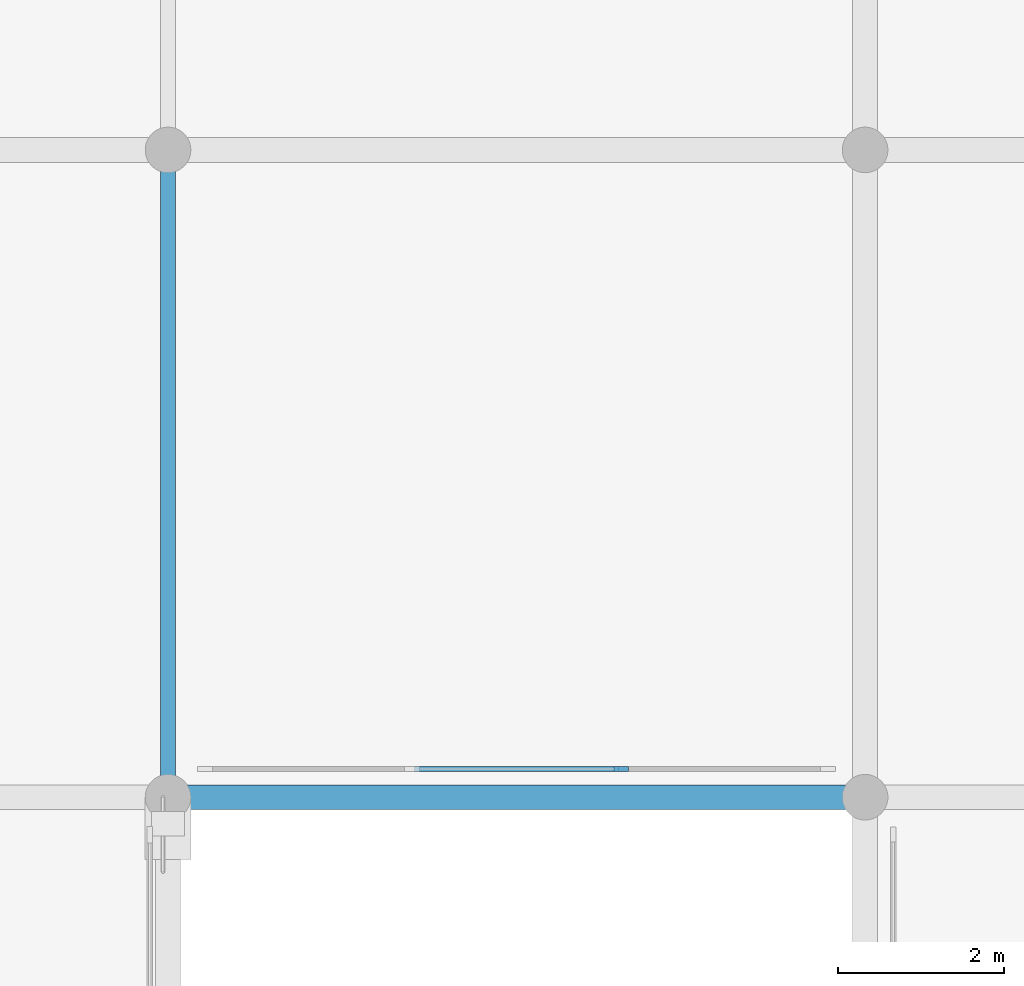
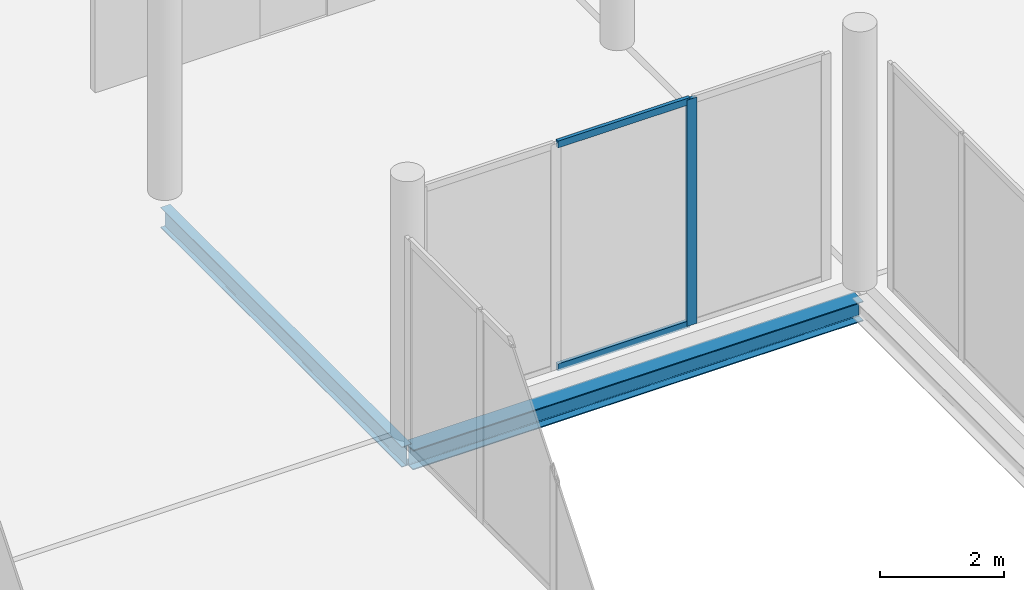
# One storey, part 50 of 105: 3 members, 2 beams, 1 element without a shape of its own.
"""IFC4 building model written with IfcOpenShell, lengths in metres."""

from ifc_helpers import new_model, si_unit, direction, frame, origin, origin_2d, place, context, subcontext, project, spatial, rectangle, i_section, extrude, material, material_profile, profile_set, type_object, element, aggregate, save


model = new_model("IFC4")

# Units and contexts
model_context = context("Model", 3, precision=1e-05, world=origin(), true_north=direction((0.0, 1.0)))
body_context = subcontext(model_context, "Body", "Model", "MODEL_VIEW")
ifc_project = project(units=[si_unit("LENGTHUNIT", "METRE"), si_unit("AREAUNIT", "SQUARE_METRE"), si_unit("VOLUMEUNIT", "CUBIC_METRE"), si_unit("PLANEANGLEUNIT", "RADIAN"), si_unit("MASSUNIT", "GRAM", prefix="KILO")], contexts=[model_context])

# Site, building, storey
site_placement = place(None, origin())
site = spatial("IfcSite", under=ifc_project, at=site_placement, CompositionType="ELEMENT")
building_placement = place(site_placement, origin())
building = spatial("IfcBuilding", under=site, at=building_placement, Name="Nabrawat Pavilion Hospital", CompositionType="ELEMENT")
storey_placement = place(building_placement, frame((0.0, 0.0, 5.10009765625)))
storey = spatial("IfcBuildingStorey", under=building, at=storey_placement, Name="L01", CompositionType="ELEMENT", Elevation=5.10009765625)

# Curtain wall, members
ifc_material_1 = material(Name="Anodised Aluminium", Category="aluminium")
curtain_wall_type = type_object("IfcCurtainWallType", Name="Healing Garden Cloister Curtain Wall", PredefinedType="USERDEFINED", material=ifc_material_1)
curtain_wall_placement = place(storey_placement, origin())
curtain_wall = element("IfcCurtainWall", 1, at=curtain_wall_placement, inside=storey, type_object=curtain_wall_type, Name="L01 Healing Garden Cloister Curtain Wall 084", ObjectType="CURTAIN WALL", PredefinedType="USERDEFINED")
ifc_material_profile_1 = material_profile(ifc_material_1, rectangle(XDim=0.06494140625, YDim=0.179931640625, at=origin_2d()), Name="CWM 65x180")
ifc_profile_set_1 = profile_set([ifc_material_profile_1], Name="Anodised Aluminium")
member_type_1 = type_object("IfcMemberType", Name="Healing Garden Cloister Curtain Wall Mullion CWM 65x180", PredefinedType="MULLION", material=ifc_profile_set_1)
member_1_placement = place(storey_placement, frame((123.061767578125, 86.139892578125, 0.0), z_axis=(0.0, 0.0, 1.0), x_axis=(0.0, 1.0, 0.0)))
member_1 = element("IfcMember", 2, at=member_1_placement, type_object=member_type_1, Name="CW-CLN-01 mullion 3", PredefinedType="MULLION", context=body_context, shape_type="SweptSolid", body=[
    extrude(rectangle(XDim=0.06494140625, YDim=0.179931640625, at=origin_2d()), origin(), (0.0, 0.0, 1.0), 4.43994140625),
])
ifc_material_profile_2 = material_profile(ifc_material_1, rectangle(XDim=0.06494140625, YDim=0.135009765625, at=origin_2d()), Name="CWT 65x135")
ifc_profile_set_2 = profile_set([ifc_material_profile_2], Name="Anodised Aluminium")
member_type_2 = type_object("IfcMemberType", Name="Healing Garden Cloister Curtain Wall Transom CWT 65x135", PredefinedType="USERDEFINED", material=ifc_profile_set_2)
member_2_placement = place(storey_placement, frame((120.57080078125, 86.139892578125, 0.032470703125), z_axis=(1.0, 0.0, 0.0), x_axis=(0.0, 1.0, 0.0)))
member_2 = element("IfcMember", 3, at=member_2_placement, type_object=member_type_2, Name="CW-CLN-01 transom 2.1", ObjectType="TRANSOM", PredefinedType="USERDEFINED", context=body_context, shape_type="SweptSolid", body=[
    extrude(rectangle(XDim=0.06494140625, YDim=0.135009765625, at=origin_2d()), origin(), (0.0, 0.0, 1.0), 2.458251953125),
])
member_3_placement = place(storey_placement, frame((120.57080078125, 86.139892578125, 4.407470703125), z_axis=(1.0, 0.0, 0.0), x_axis=(0.0, 1.0, 0.0)))
member_3 = element("IfcMember", 4, at=member_3_placement, type_object=member_type_2, Name="CW-CLN-01 transom 2.2", ObjectType="TRANSOM", PredefinedType="USERDEFINED", context=body_context, shape_type="SweptSolid", body=[
    extrude(rectangle(XDim=0.06494140625, YDim=0.135009765625, at=origin_2d()), origin(), (0.0, 0.0, 1.0), 2.458251953125),
])
aggregate(curtain_wall, [member_1, member_2, member_3])

# Beams
ifc_material_2 = material(Name="Steel S355", Category="steel")
ifc_material_profile_3 = material_profile(ifc_material_2, i_section(OverallWidth=0.300048828125, OverallDepth=0.389892578125, WebThickness=0.010986328125, FlangeThickness=0.01904296875, FilletRadius=0.027099609375, at=origin_2d()), Name="HEA 400")
ifc_profile_set_3 = profile_set([ifc_material_profile_3], Name="Steel S355")
beam_type_1 = type_object("IfcBeamType", Name="Perimeter Moment Spandrel Beam HEA 400", PredefinedType="SPANDREL", material=ifc_profile_set_3)
beam_1_placement = place(storey_placement, frame((117.6201171875, 85.800048828125, -0.47509765625), z_axis=(1.0, 0.0, 0.0), x_axis=(0.0, 1.0, 0.0)))
element("IfcBeam", 5, at=beam_1_placement, inside=storey, type_object=beam_type_1, Name="L01 Primary X Girder 613", PredefinedType="SPANDREL", context=body_context, shape_type="SweptSolid", body=[
    extrude(i_section(OverallWidth=0.300048828125, OverallDepth=0.389892578125, WebThickness=0.010986328125, FlangeThickness=0.01904296875, FilletRadius=0.027099609375, at=origin_2d()), origin(), (0.0, 0.0, 1.0), 8.35986328125),
])
ifc_material_profile_4 = material_profile(ifc_material_2, i_section(OverallWidth=0.179931640625, OverallDepth=0.39990234375, WebThickness=0.008544921875, FlangeThickness=0.013427734375, FilletRadius=0.02099609375, at=origin_2d()), Name="IPE 400")
ifc_profile_set_4 = profile_set([ifc_material_profile_4], Name="Steel S355")
beam_type_2 = type_object("IfcBeamType", Name="Standard Y Floor Beam IPE 400", PredefinedType="BEAM", material=ifc_profile_set_4)
beam_2_placement = place(storey_placement, frame((117.60009765625, 85.820068359375, -0.47998046875), z_axis=(0.0, 1.0, 0.0), x_axis=(-1.0, 0.0, 0.0)))
element("IfcBeam", 6, at=beam_2_placement, inside=storey, type_object=beam_type_2, Name="L01 Primary Y Beam 794", PredefinedType="BEAM", context=body_context, shape_type="SweptSolid", body=[
    extrude(i_section(OverallWidth=0.179931640625, OverallDepth=0.39990234375, WebThickness=0.008544921875, FlangeThickness=0.013427734375, FilletRadius=0.02099609375, at=origin_2d()), origin(), (0.0, 0.0, 1.0), 7.760009765625),
])

save(model, "model.ifc")
